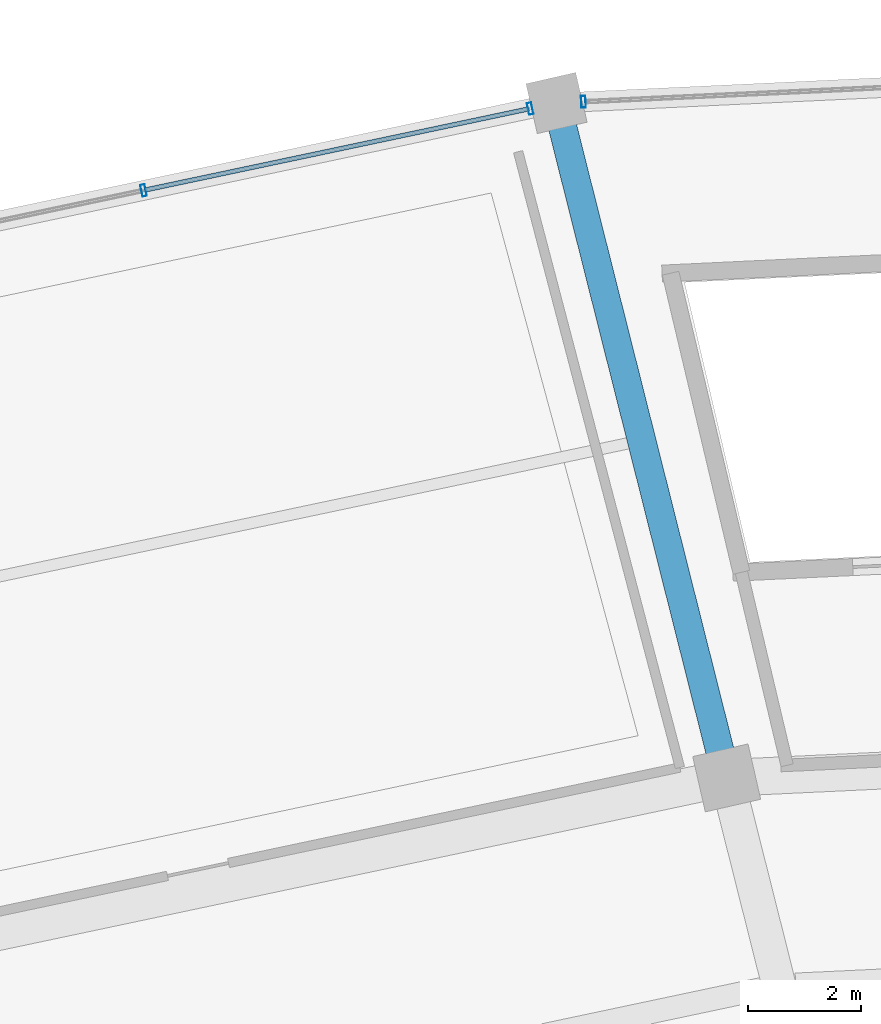
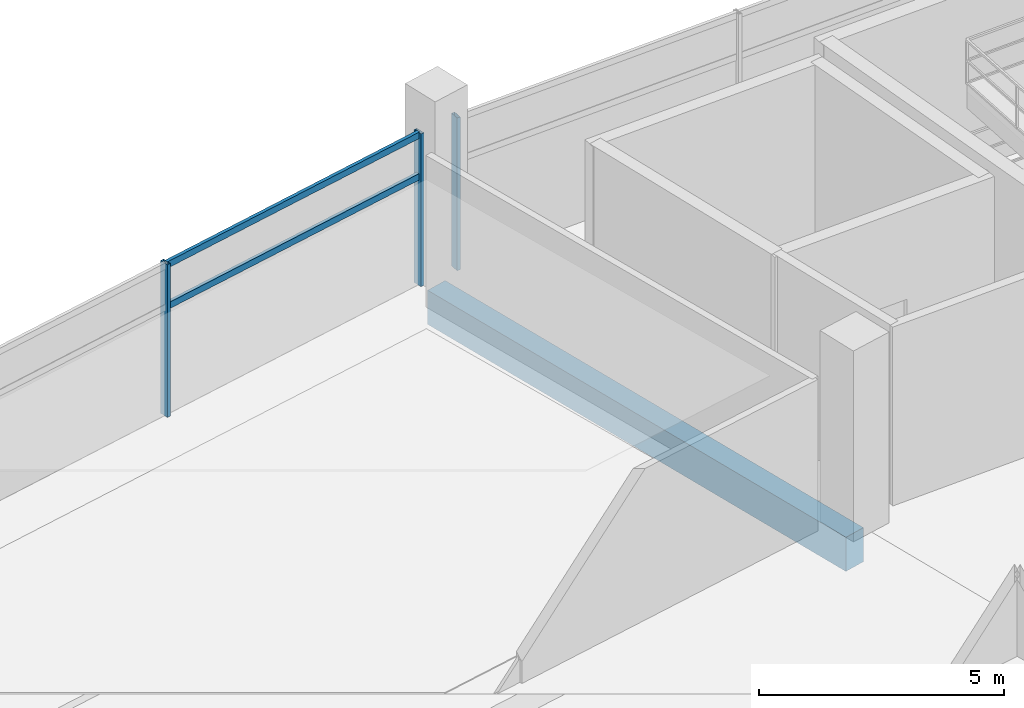
# One storey, part 102 of 171: 5 members, 1 beam, 2 elements without a shape of their own.
"""IFC4 building model written with IfcOpenShell, lengths in metres."""

from ifc_helpers import new_model, si_unit, direction, frame, origin, origin_2d, place, context, subcontext, project, spatial, rectangle, hollow_rectangle, extrude, material, layer, layer_set, material_profile, profile_set, type_object, element, aggregate, save


model = new_model("IFC4")

# Units and contexts
model_context = context("Model", 3, precision=1e-05, world=origin(), true_north=direction((0.0, 1.0)))
body_context = subcontext(model_context, "Body", "Model", "MODEL_VIEW")
ifc_project = project(units=[si_unit("LENGTHUNIT", "METRE"), si_unit("AREAUNIT", "SQUARE_METRE"), si_unit("VOLUMEUNIT", "CUBIC_METRE"), si_unit("PLANEANGLEUNIT", "RADIAN"), si_unit("MASSUNIT", "GRAM", prefix="KILO")], contexts=[model_context])

# Site, building, storey
site_placement = place(None, origin())
site = spatial("IfcSite", under=ifc_project, at=site_placement, CompositionType="ELEMENT")
building_placement = place(site_placement, origin())
building = spatial("IfcBuilding", under=site, at=building_placement, Name="Kazemori Nagisa Stadium", CompositionType="ELEMENT")
storey_placement = place(building_placement, frame((0.0, 0.0, 15.639892578125)))
storey = spatial("IfcBuildingStorey", under=building, at=storey_placement, Name="L03", CompositionType="ELEMENT", Elevation=15.639892578125)

# Beam
ifc_material_1 = material(Name="Concrete C40/50 (Fc42)", Category="concrete")
ifc_material_profile_1 = material_profile(ifc_material_1, rectangle(XDim=0.5, YDim=0.85009765625, at=origin_2d()), Name="RC-BM-500x850")
ifc_profile_set_1 = profile_set([ifc_material_profile_1], Name="Concrete C40/50 (Fc42)")
beam_type = type_object("IfcBeamType", Name="Beam_BG-RC500X850", PredefinedType="BEAM", material=ifc_profile_set_1)
beam_placement = place(storey_placement, frame((104.572265625, 175.088623046875, -0.684814453125), z_axis=(-0.244487324834, 0.969652488263, 0.0), x_axis=(-0.969652488263, -0.244487324834, 0.0)))
element("IfcBeam", 1, at=beam_placement, inside=storey, type_object=beam_type, Name="Radial girder BG-RC500X850 L03 R2-R3-09", PredefinedType="BEAM", context=body_context, shape_type="SweptSolid", body=[
    extrude(rectangle(XDim=0.5, YDim=0.85009765625, at=origin_2d()), origin(), (0.0, 0.0, 1.0), 12.2705078125),
])

# Curtain wall, member
ifc_material_2 = material(Name="Anodised aluminium 6063-T5", Category="aluminium")
ifc_layer_1 = layer(ifc_material_2, 0.2099609375, Name="Anodised aluminium 6063-T5", Category="aluminium")
ifc_layer_set_1 = layer_set([ifc_layer_1], Name="Anodised aluminium 6063-T5")
curtain_wall_type_1 = type_object("IfcCurtainWallType", Name="CW_L03R3_103", PredefinedType="USERDEFINED", material=ifc_layer_set_1)
curtain_wall_1_placement = place(storey_placement, origin())
curtain_wall_1 = element("IfcCurtainWall", 2, at=curtain_wall_1_placement, inside=storey, type_object=curtain_wall_type_1, Name="Unitised curtain wall CW-L03R3-103 L03", ObjectType="UNITISED CURTAIN WALL", PredefinedType="USERDEFINED")
ifc_material_3 = material(Name="Aluminium 6063-T5 anodised", Category="aluminium")
ifc_material_profile_2 = material_profile(ifc_material_3, hollow_rectangle(XDim=0.080078125, YDim=0.2099609375, WallThickness=0.0048828125, at=origin_2d()), Name="ALU-MULL-80x210x5")
ifc_profile_set_2 = profile_set([ifc_material_profile_2], Name="Aluminium 6063-T5 anodised")
member_type_1 = type_object("IfcMemberType", Name="Mullion_M02", PredefinedType="MULLION", material=ifc_profile_set_2)
member_1_placement = place(storey_placement, frame((102.046875, 187.00927734375, 0.0), z_axis=(0.0, 0.0, 1.0), x_axis=(-0.998884022476, -0.047230388971, 0.0)))
member_1 = element("IfcMember", 3, at=member_1_placement, type_object=member_type_1, Name="Curtain wall mullion CW-L03R3-103-M4", PredefinedType="MULLION", context=body_context, shape_type="SweptSolid", body=[
    extrude(hollow_rectangle(XDim=0.080078125, YDim=0.2099609375, WallThickness=0.0048828125, at=origin_2d()), origin(), (0.0, 0.0, 1.0), 3.81005859375),
])
aggregate(curtain_wall_1, [member_1])

# Curtain wall, members
ifc_layer_2 = layer(ifc_material_2, 0.2099609375, Name="Anodised aluminium 6063-T5", Category="aluminium")
ifc_layer_set_2 = layer_set([ifc_layer_2], Name="Anodised aluminium 6063-T5")
curtain_wall_type_2 = type_object("IfcCurtainWallType", Name="CW_L03R3_105", PredefinedType="USERDEFINED", material=ifc_layer_set_2)
curtain_wall_2_placement = place(storey_placement, origin())
curtain_wall_2 = element("IfcCurtainWall", 4, at=curtain_wall_2_placement, inside=storey, type_object=curtain_wall_type_2, Name="Unitised curtain wall CW-L03R3-105 L03", ObjectType="UNITISED CURTAIN WALL", PredefinedType="USERDEFINED")
member_2_placement = place(storey_placement, frame((101.107666015625, 186.888427734375, 0.0), z_axis=(0.0, 0.0, 1.0), x_axis=(-0.978344955407, -0.206981033502, 0.0)))
member_2 = element("IfcMember", 5, at=member_2_placement, type_object=member_type_1, Name="Curtain wall mullion CW-L03R3-105-M1", PredefinedType="MULLION", context=body_context, shape_type="SweptSolid", body=[
    extrude(hollow_rectangle(XDim=0.080078125, YDim=0.2099609375, WallThickness=0.0048828125, at=origin_2d()), origin(), (0.0, 0.0, 1.0), 3.81005859375),
])
member_3_placement = place(storey_placement, frame((94.291748046875, 185.446533203125, 0.0), z_axis=(0.0, 0.0, 1.0), x_axis=(-0.978344955407, -0.206981033502, 0.0)))
member_3 = element("IfcMember", 6, at=member_3_placement, type_object=member_type_1, Name="Curtain wall mullion CW-L03R3-105-M2", PredefinedType="MULLION", context=body_context, shape_type="SweptSolid", body=[
    extrude(hollow_rectangle(XDim=0.080078125, YDim=0.2099609375, WallThickness=0.0048828125, at=origin_2d()), origin(), (0.0, 0.0, 1.0), 3.81005859375),
])
ifc_material_profile_3 = material_profile(ifc_material_3, hollow_rectangle(XDim=0.080078125, YDim=0.159912109375, WallThickness=0.00390625, at=origin_2d()), Name="ALU-TRAN-80x160x4")
ifc_profile_set_3 = profile_set([ifc_material_profile_3], Name="Aluminium 6063-T5 anodised")
member_type_2 = type_object("IfcMemberType", Name="Transom_T02", PredefinedType="USERDEFINED", material=ifc_profile_set_3)
member_4_placement = place(storey_placement, frame((101.088134765625, 186.88427734375, 2.705322265625), z_axis=(-0.978348879673, -0.20696248366, 0.0), x_axis=(0.20696248366, -0.978348879673, 0.0)))
member_4 = element("IfcMember", 7, at=member_4_placement, type_object=member_type_2, Name="Curtain wall transom CW-L03R3-105-T1-mid", ObjectType="TRANSOM", PredefinedType="USERDEFINED", context=body_context, shape_type="SweptSolid", body=[
    extrude(hollow_rectangle(XDim=0.080078125, YDim=0.159912109375, WallThickness=0.00390625, at=origin_2d()), origin(), (0.0, 0.0, 1.0), 6.9267578125),
])
member_5_placement = place(storey_placement, frame((101.088134765625, 186.88427734375, 3.739990234375), z_axis=(-0.978348879673, -0.20696248366, 0.0), x_axis=(0.20696248366, -0.978348879673, 0.0)))
member_5 = element("IfcMember", 8, at=member_5_placement, type_object=member_type_2, Name="Curtain wall transom CW-L03R3-105-T1-head", ObjectType="TRANSOM", PredefinedType="USERDEFINED", context=body_context, shape_type="SweptSolid", body=[
    extrude(hollow_rectangle(XDim=0.080078125, YDim=0.159912109375, WallThickness=0.00390625, at=origin_2d()), origin(), (0.0, 0.0, 1.0), 6.9267578125),
])
aggregate(curtain_wall_2, [member_2, member_3, member_4, member_5])

save(model, "model.ifc")
